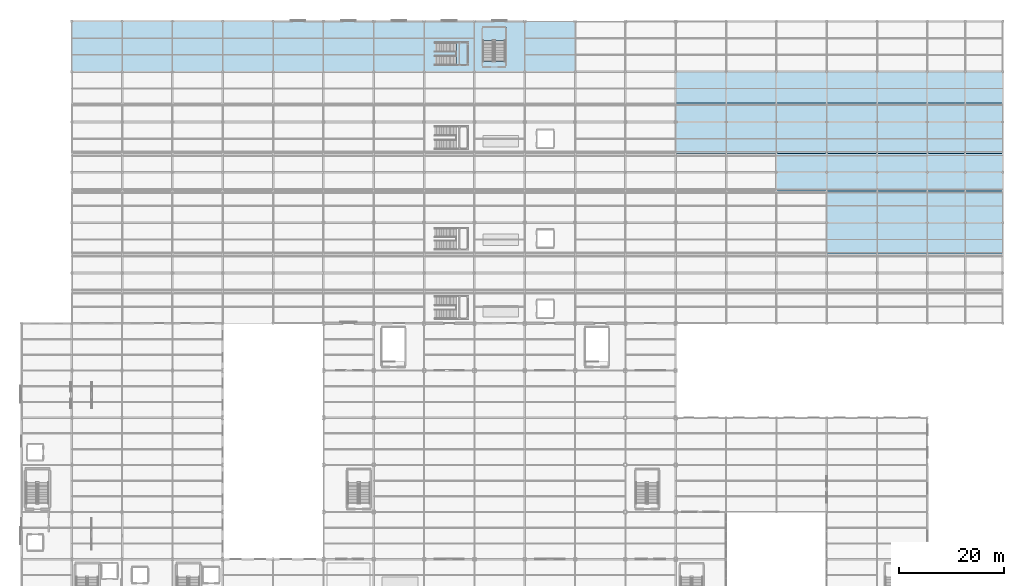
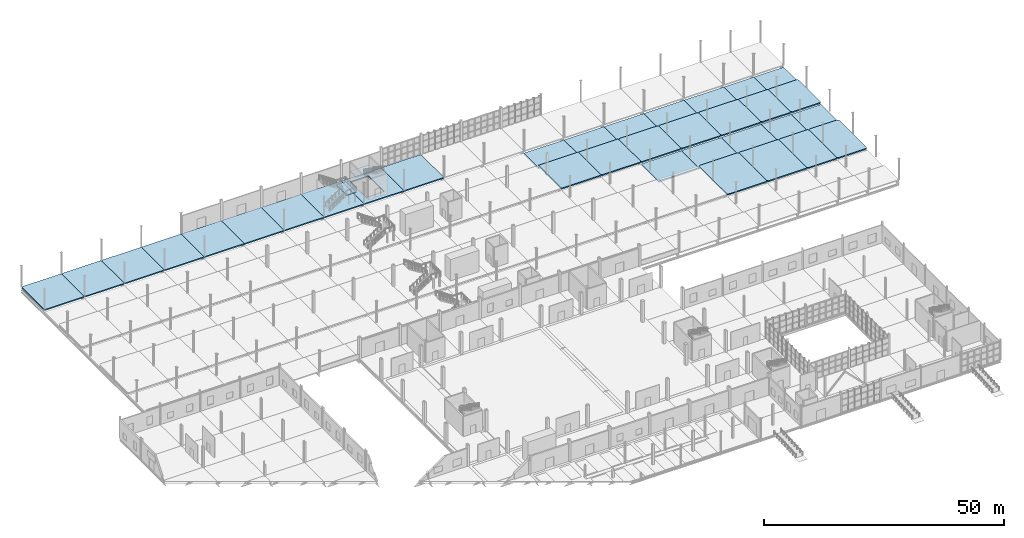
# One storey, part 54 of 85: 35 slabs, 2 elements without a shape of their own.
"""IFC4 building model written with IfcOpenShell, lengths in metres."""

import ifcopenshell
import ifcopenshell.guid

model = None  # the IFC model being written
_history = None  # IfcOwnerHistory: only IFC2X3 demands one
_inside = {}  # id of a spatial element -> (the spatial element, [elements in it])
_under = {}  # id of a project, library or spatial element -> (it, [spatial elements below it])
_declared = {}  # id of a project -> (the project, [libraries it declares])
_typed = {}  # id of a type object -> (the type object, [elements of that type])
_made_of = {}  # id of a material, layer set ... -> (it, [elements and type objects made of it])


def new_model(schema):
    """Start an empty IFC model of exactly this schema.

    Asked for "IFC4X3", IfcOpenShell would pick the latest addendum, in which some entities
    have other attributes; the version numbers below select the first issue.
    IFC2X3 requires an IfcOwnerHistory on every rooted entity: one is made here for all.
    """
    global model, _history
    if schema == "IFC4X3":
        model = ifcopenshell.file(schema_version=(4, 3, 0, 0))
    else:
        model = ifcopenshell.file(schema=schema)
    _inside.clear()
    _under.clear()
    _declared.clear()
    _typed.clear()
    _made_of.clear()
    _history = None
    if model.schema == "IFC2X3":
        org = make("IfcOrganization", Name="unknown")
        user = make(
            "IfcPersonAndOrganization",
            ThePerson=make("IfcPerson", FamilyName="unknown"),
            TheOrganization=org,
        )
        app = make(
            "IfcApplication",
            ApplicationDeveloper=org,
            Version="unknown",
            ApplicationFullName="unknown",
            ApplicationIdentifier="unknown",
        )
        _history = make(
            "IfcOwnerHistory",
            OwningUser=user,
            OwningApplication=app,
            ChangeAction="ADDED",
            CreationDate=0,
        )
    return model


def make(cls, **values):
    """One entity of the class cls with the attributes given. An attribute that is None is left unset."""
    return model.create_entity(
        cls, **{name: value for name, value in values.items() if value is not None}
    )


def rooted(cls, **values):
    """An entity with a GlobalId (a new one), such as an element, a storey or a relation."""
    return make(cls, GlobalId=ifcopenshell.guid.new(), OwnerHistory=_history, **values)


def si_unit(unit_type, name, prefix=None):
    """IfcSIUnit, for example si_unit("LENGTHUNIT", "METRE", prefix="MILLI")."""
    return make("IfcSIUnit", UnitType=unit_type, Prefix=prefix, Name=name)


def assignment(units):
    """IfcUnitAssignment: the units of a project."""
    return None if units is None else make("IfcUnitAssignment", Units=units)


def point(xyz):
    """IfcCartesianPoint."""
    return None if xyz is None else make("IfcCartesianPoint", Coordinates=xyz)


def direction(xyz):
    """IfcDirection."""
    return None if xyz is None else make("IfcDirection", DirectionRatios=xyz)


def frame(location, z_axis=None, x_axis=None):
    """IfcAxis2Placement3D, a coordinate frame: its origin and axes. An axis left out is left unset."""
    return make(
        "IfcAxis2Placement3D",
        Location=point(location),
        Axis=direction(z_axis),
        RefDirection=direction(x_axis),
    )


def origin():
    """The frame at (0, 0, 0) with its axes left unset."""
    return frame((0.0, 0.0, 0.0))


def place(relative_to, where):
    """IfcLocalPlacement: puts the frame where relative to a parent placement (None: the world)."""
    return make(
        "IfcLocalPlacement", PlacementRelTo=relative_to, RelativePlacement=where
    )


def context(
    kind, dimensions, precision=None, world=None, true_north=None, identifier=None
):
    """IfcGeometricRepresentationContext, for example the 3D "Model" context."""
    return make(
        "IfcGeometricRepresentationContext",
        ContextIdentifier=identifier,
        ContextType=kind,
        CoordinateSpaceDimension=dimensions,
        Precision=precision,
        WorldCoordinateSystem=world,
        TrueNorth=true_north,
    )


def subcontext(parent, identifier, kind, view, scale=None):
    """IfcGeometricRepresentationSubContext, for example "Body" below "Model"."""
    return make(
        "IfcGeometricRepresentationSubContext",
        ContextIdentifier=identifier,
        ContextType=kind,
        ParentContext=parent,
        TargetScale=scale,
        TargetView=view,
    )


def project(units=None, contexts=None):
    """IfcProject with its units and contexts."""
    return rooted(
        "IfcProject",
        Name="project",
        RepresentationContexts=contexts,
        UnitsInContext=assignment(units),
    )


def spatial(cls, under=None, at=None, **own):
    """A site, building, storey or space (cls), placed at a placement, below another one or the project."""
    s = rooted(cls, ObjectPlacement=at, **own)
    if under is not None:
        _under.setdefault(under.id(), (under, []))[1].append(s)
    return s


def polyline(points):
    """IfcPolyline through the points."""
    return make("IfcPolyline", Points=[point(p) for p in points])


def outline(outer, holes=None, kind="AREA"):
    """IfcArbitraryClosedProfileDef: a profile drawn as a closed curve; with holes, ...WithVoids."""
    if holes is None:
        return make("IfcArbitraryClosedProfileDef", ProfileType=kind, OuterCurve=outer)
    return make(
        "IfcArbitraryProfileDefWithVoids",
        ProfileType=kind,
        OuterCurve=outer,
        InnerCurves=holes,
    )


def extrude(swept, where, along, depth):
    """IfcExtrudedAreaSolid: the profile swept, set in the frame where, extruded along a direction by depth."""
    return make(
        "IfcExtrudedAreaSolid",
        SweptArea=swept,
        Position=where,
        ExtrudedDirection=direction(along),
        Depth=depth,
    )


def shape(context_of_items, identifier, shape_type, items):
    """IfcShapeRepresentation: the items that make up one representation, for example the "Body"."""
    return make(
        "IfcShapeRepresentation",
        ContextOfItems=context_of_items,
        RepresentationIdentifier=identifier,
        RepresentationType=shape_type,
        Items=items,
    )


def material(Name=None, Category=None):
    """IfcMaterial."""
    return make("IfcMaterial", Name=Name, Category=Category)


def layer(
    of_material, thickness, ventilated=None, Name=None, Category=None, Priority=None
):
    """IfcMaterialLayer: one layer of a wall or slab, of a material (None: an air gap)."""
    return make(
        "IfcMaterialLayer",
        Material=of_material,
        LayerThickness=thickness,
        IsVentilated=ventilated,
        Name=Name,
        Category=Category,
        Priority=Priority,
    )


def layer_set(layers, Name=None):
    """IfcMaterialLayerSet."""
    return make("IfcMaterialLayerSet", MaterialLayers=layers, LayerSetName=Name)


def made_of(thing, what):
    """Note that an element or type object is made of a material, layer set ...; save() writes the relation."""
    if what is not None:
        _made_of.setdefault(what.id(), (what, []))[1].append(thing)
    return thing


def type_object(cls, material=None, **own):
    """A type object (cls), such as IfcWallType, which elements share."""
    return made_of(rooted(cls, **own), material)


def element(
    cls,
    number,
    at=None,
    inside=None,
    cuts=None,
    type_object=None,
    material=None,
    context=None,
    identifier="Body",
    shape_type=None,
    held_by="IfcProductDefinitionShape",
    body=None,
    shapes=None,
    **own,
):
    """One element of the class cls, such as IfcWall. Its Tag is "e" and its number.

    at: its placement. inside: the storey or other place that contains it. cuts: it is an
    opening in that element (IfcRelVoidsElement). A single representation is given by context,
    identifier, shape_type and body (its items); several are given by shapes. held_by: the class
    of the entity that holds the representations. save() writes the other relations.
    """
    e = rooted(cls, Tag="e%d" % number, ObjectPlacement=at, **own)
    if body is not None:
        shapes = [shape(context, identifier, shape_type, body)]
    if shapes is not None:
        e.Representation = make(held_by, Representations=shapes)
    if inside is not None:
        _inside.setdefault(inside.id(), (inside, []))[1].append(e)
    if cuts is not None:
        rooted(
            "IfcRelVoidsElement", RelatingBuildingElement=cuts, RelatedOpeningElement=e
        )
    if type_object is not None:
        _typed.setdefault(type_object.id(), (type_object, []))[1].append(e)
    return made_of(e, material)


def aggregate(whole, parts):
    """IfcRelAggregates: a whole, such as a stair, and the parts it consists of."""
    return rooted("IfcRelAggregates", RelatingObject=whole, RelatedObjects=parts)


def save(model, path):
    """Write the relations noted so far, then the file.

    IfcRelAggregates (storeys below a building ...), IfcRelContainedInSpatialStructure (elements
    in a storey), IfcRelDefinesByType, IfcRelAssociatesMaterial and IfcRelDeclares: one each for
    every whole, place, type object, material and project.
    """
    for whole, parts in _under.values():
        aggregate(whole, parts)
    for where, things in _inside.values():
        rooted(
            "IfcRelContainedInSpatialStructure",
            RelatedElements=things,
            RelatingStructure=where,
        )
    for kind, things in _typed.values():
        rooted("IfcRelDefinesByType", RelatedObjects=things, RelatingType=kind)
    for what, things in _made_of.values():
        rooted("IfcRelAssociatesMaterial", RelatedObjects=things, RelatingMaterial=what)
    for by, libraries in _declared.values():
        rooted("IfcRelDeclares", RelatingContext=by, RelatedDefinitions=libraries)
    model.write(path)


model = new_model("IFC4")

# Units and contexts
model_context = context("Model", 3, precision=1e-05, world=origin(), true_north=direction((0.0, 1.0)))
body_context = subcontext(model_context, "Body", "Model", "MODEL_VIEW")
ifc_project = project(units=[si_unit("LENGTHUNIT", "METRE"), si_unit("AREAUNIT", "SQUARE_METRE"), si_unit("VOLUMEUNIT", "CUBIC_METRE"), si_unit("PLANEANGLEUNIT", "RADIAN"), si_unit("MASSUNIT", "GRAM", prefix="KILO")], contexts=[model_context])

# Site, building, storey
site_placement = place(None, origin())
site = spatial("IfcSite", under=ifc_project, at=site_placement, CompositionType="ELEMENT")
building_placement = place(site_placement, origin())
building = spatial("IfcBuilding", under=site, at=building_placement, Name="Zarnetskaya Central Station", CompositionType="ELEMENT")
storey_placement = place(building_placement, origin())
storey = spatial("IfcBuildingStorey", under=building, at=storey_placement, Name="L00", CompositionType="ELEMENT", Elevation=0.0)

# Slabs
ifc_material_1 = material(Name="Precast concrete C40/50", Category="concrete")
ifc_layer_1 = layer(ifc_material_1, 0.2900390625, Name="Precast concrete C40/50", Category="concrete")
ifc_layer_set_1 = layer_set([ifc_layer_1], Name="Precast concrete C40/50")
slab_type_1 = type_object("IfcSlabType", Name="SLAB-PEXT-290", PredefinedType="FLOOR", material=ifc_layer_set_1)
slab_1_placement = place(storey_placement, frame((0.0, 0.0, -0.2900390625)))
element("IfcSlab", 1, at=slab_1_placement, inside=storey, type_object=slab_type_1, Name="Platform 4 Passenger Boarding Hall deck B-C", PredefinedType="FLOOR", context=body_context, shape_type="SweptSolid", body=[
    extrude(outline(polyline([(9.840087890625, 115.199951171875), (18.9599609375, 115.199951171875), (19.199951171875, 115.43994140625), (19.199951171875, 124.56005859375), (18.9599609375, 124.800048828125), (9.840087890625, 124.800048828125), (9.60009765625, 124.56005859375), (9.60009765625, 115.43994140625), (9.840087890625, 115.199951171875)])), origin(), (0.0, 0.0, 1.0), 0.2900390625),
])
slab_2_placement = place(storey_placement, frame((0.0, 0.0, -0.2900390625)))
element("IfcSlab", 2, at=slab_2_placement, inside=storey, type_object=slab_type_1, Name="Platform 4 Passenger Boarding Hall deck C-D", PredefinedType="FLOOR", context=body_context, shape_type="SweptSolid", body=[
    extrude(outline(polyline([(19.43994140625, 115.199951171875), (28.56005859375, 115.199951171875), (28.800048828125, 115.43994140625), (28.800048828125, 124.56005859375), (28.56005859375, 124.800048828125), (19.43994140625, 124.800048828125), (19.199951171875, 124.56005859375), (19.199951171875, 115.43994140625), (19.43994140625, 115.199951171875)])), origin(), (0.0, 0.0, 1.0), 0.2900390625),
])
slab_3_placement = place(storey_placement, frame((0.0, 0.0, -0.2900390625)))
element("IfcSlab", 3, at=slab_3_placement, inside=storey, type_object=slab_type_1, Name="Platform 4 Passenger Boarding Hall deck D-E", PredefinedType="FLOOR", context=body_context, shape_type="SweptSolid", body=[
    extrude(outline(polyline([(29.0400390625, 115.199951171875), (38.159912109375, 115.199951171875), (38.39990234375, 115.43994140625), (38.39990234375, 124.56005859375), (38.159912109375, 124.800048828125), (29.0400390625, 124.800048828125), (28.800048828125, 124.56005859375), (28.800048828125, 115.43994140625), (29.0400390625, 115.199951171875)])), origin(), (0.0, 0.0, 1.0), 0.2900390625),
])
slab_4_placement = place(storey_placement, frame((0.0, 0.0, -0.2900390625)))
element("IfcSlab", 4, at=slab_4_placement, inside=storey, type_object=slab_type_1, Name="Platform 4 Passenger Boarding Hall deck E-F", PredefinedType="FLOOR", context=body_context, shape_type="SweptSolid", body=[
    extrude(outline(polyline([(38.639892578125, 115.199951171875), (47.760009765625, 115.199951171875), (48.0, 115.43994140625), (48.0, 124.56005859375), (47.760009765625, 124.800048828125), (38.639892578125, 124.800048828125), (38.39990234375, 124.56005859375), (38.39990234375, 115.43994140625), (38.639892578125, 115.199951171875)])), origin(), (0.0, 0.0, 1.0), 0.2900390625),
])
slab_5_placement = place(storey_placement, frame((0.0, 0.0, -0.2900390625)))
element("IfcSlab", 5, at=slab_5_placement, inside=storey, type_object=slab_type_1, Name="Platform 3 Passenger Boarding Hall deck Q-R", PredefinedType="FLOOR", context=body_context, shape_type="SweptSolid", body=[
    extrude(outline(polyline([(134.639892578125, 99.60009765625), (143.760009765625, 99.60009765625), (144.0, 99.840087890625), (144.0, 108.9599609375), (143.760009765625, 109.199951171875), (134.639892578125, 109.199951171875), (134.39990234375, 108.9599609375), (134.39990234375, 99.840087890625), (134.639892578125, 99.60009765625)])), origin(), (0.0, 0.0, 1.0), 0.2900390625),
])
slab_6_placement = place(storey_placement, frame((0.0, 0.0, -0.2900390625)))
element("IfcSlab", 6, at=slab_6_placement, inside=storey, type_object=slab_type_1, Name="Platform 3 Passenger Boarding Hall deck R-S", PredefinedType="FLOOR", context=body_context, shape_type="SweptSolid", body=[
    extrude(outline(polyline([(144.239990234375, 99.60009765625), (153.360107421875, 99.60009765625), (153.60009765625, 99.840087890625), (153.60009765625, 108.9599609375), (153.360107421875, 109.199951171875), (144.239990234375, 109.199951171875), (144.0, 108.9599609375), (144.0, 99.840087890625), (144.239990234375, 99.60009765625)])), origin(), (0.0, 0.0, 1.0), 0.2900390625),
])
slab_7_placement = place(storey_placement, frame((0.0, 0.0, -0.2900390625)))
element("IfcSlab", 7, at=slab_7_placement, inside=storey, type_object=slab_type_1, Name="Platform 2 Passenger Boarding Hall deck S-T", PredefinedType="FLOOR", context=body_context, shape_type="SweptSolid", body=[
    extrude(outline(polyline([(153.840087890625, 80.39990234375), (162.9599609375, 80.39990234375), (163.199951171875, 80.639892578125), (163.199951171875, 92.159912109375), (162.9599609375, 92.39990234375), (153.840087890625, 92.39990234375), (153.60009765625, 92.159912109375), (153.60009765625, 80.639892578125), (153.840087890625, 80.39990234375)])), origin(), (0.0, 0.0, 1.0), 0.2900390625),
])
slab_8_placement = place(storey_placement, frame((0.0, 0.0, -0.2900390625)))
element("IfcSlab", 8, at=slab_8_placement, inside=storey, type_object=slab_type_1, Name="Platform 3 Passenger Boarding Hall deck S-T", PredefinedType="FLOOR", context=body_context, shape_type="SweptSolid", body=[
    extrude(outline(polyline([(153.840087890625, 99.60009765625), (162.9599609375, 99.60009765625), (163.199951171875, 99.840087890625), (163.199951171875, 108.9599609375), (162.9599609375, 109.199951171875), (153.840087890625, 109.199951171875), (153.60009765625, 108.9599609375), (153.60009765625, 99.840087890625), (153.840087890625, 99.60009765625)])), origin(), (0.0, 0.0, 1.0), 0.2900390625),
])
slab_9_placement = place(storey_placement, frame((0.0, 0.0, -0.2900390625)))
element("IfcSlab", 9, at=slab_9_placement, inside=storey, type_object=slab_type_1, Name="Platform 2 Passenger Boarding Hall deck T-U", PredefinedType="FLOOR", context=body_context, shape_type="SweptSolid", body=[
    extrude(outline(polyline([(163.43994140625, 80.39990234375), (172.56005859375, 80.39990234375), (172.800048828125, 80.639892578125), (172.800048828125, 92.159912109375), (172.56005859375, 92.39990234375), (163.43994140625, 92.39990234375), (163.199951171875, 92.159912109375), (163.199951171875, 80.639892578125), (163.43994140625, 80.39990234375)])), origin(), (0.0, 0.0, 1.0), 0.2900390625),
])
slab_10_placement = place(storey_placement, frame((0.0, 0.0, -0.2900390625)))
element("IfcSlab", 10, at=slab_10_placement, inside=storey, type_object=slab_type_1, Name="Platform 3 Passenger Boarding Hall deck T-U", PredefinedType="FLOOR", context=body_context, shape_type="SweptSolid", body=[
    extrude(outline(polyline([(163.43994140625, 99.60009765625), (172.56005859375, 99.60009765625), (172.800048828125, 99.840087890625), (172.800048828125, 108.9599609375), (172.56005859375, 109.199951171875), (163.43994140625, 109.199951171875), (163.199951171875, 108.9599609375), (163.199951171875, 99.840087890625), (163.43994140625, 99.60009765625)])), origin(), (0.0, 0.0, 1.0), 0.2900390625),
])
slab_11_placement = place(storey_placement, frame((0.0, 0.0, -0.2900390625)))
element("IfcSlab", 11, at=slab_11_placement, inside=storey, type_object=slab_type_1, Name="Platform 2 Passenger Boarding Hall deck U-V", PredefinedType="FLOOR", context=body_context, shape_type="SweptSolid", body=[
    extrude(outline(polyline([(173.0400390625, 80.39990234375), (179.760009765625, 80.39990234375), (180.0, 80.639892578125), (180.0, 92.159912109375), (179.760009765625, 92.39990234375), (173.0400390625, 92.39990234375), (172.800048828125, 92.159912109375), (172.800048828125, 80.639892578125), (173.0400390625, 80.39990234375)])), origin(), (0.0, 0.0, 1.0), 0.2900390625),
])
slab_12_placement = place(storey_placement, frame((0.0, 0.0, -0.2900390625)))
element("IfcSlab", 12, at=slab_12_placement, inside=storey, type_object=slab_type_1, Name="Platform 3 Passenger Boarding Hall deck U-V", PredefinedType="FLOOR", context=body_context, shape_type="SweptSolid", body=[
    extrude(outline(polyline([(173.0400390625, 99.60009765625), (179.760009765625, 99.60009765625), (180.0, 99.840087890625), (180.0, 108.9599609375), (179.760009765625, 109.199951171875), (173.0400390625, 109.199951171875), (172.800048828125, 108.9599609375), (172.800048828125, 99.840087890625), (173.0400390625, 99.60009765625)])), origin(), (0.0, 0.0, 1.0), 0.2900390625),
])
slab_13_placement = place(storey_placement, frame((0.0, 0.0, -0.2900390625)))
element("IfcSlab", 13, at=slab_13_placement, inside=storey, type_object=slab_type_1, Name="Platform 2 Passenger Boarding Hall deck V-W", PredefinedType="FLOOR", context=body_context, shape_type="SweptSolid", body=[
    extrude(outline(polyline([(180.239990234375, 80.39990234375), (186.9599609375, 80.39990234375), (187.199951171875, 80.639892578125), (187.199951171875, 92.159912109375), (186.9599609375, 92.39990234375), (180.239990234375, 92.39990234375), (180.0, 92.159912109375), (180.0, 80.639892578125), (180.239990234375, 80.39990234375)])), origin(), (0.0, 0.0, 1.0), 0.2900390625),
])
slab_14_placement = place(storey_placement, frame((0.0, 0.0, -0.2900390625)))
element("IfcSlab", 14, at=slab_14_placement, inside=storey, type_object=slab_type_1, Name="Platform 3 Passenger Boarding Hall deck V-W", PredefinedType="FLOOR", context=body_context, shape_type="SweptSolid", body=[
    extrude(outline(polyline([(180.239990234375, 99.60009765625), (186.9599609375, 99.60009765625), (187.199951171875, 99.840087890625), (187.199951171875, 108.9599609375), (186.9599609375, 109.199951171875), (180.239990234375, 109.199951171875), (180.0, 108.9599609375), (180.0, 99.840087890625), (180.239990234375, 99.60009765625)])), origin(), (0.0, 0.0, 1.0), 0.2900390625),
])
ifc_layer_2 = layer(ifc_material_1, 0.300048828125, Name="Precast concrete C40/50", Category="concrete")
ifc_layer_set_2 = layer_set([ifc_layer_2], Name="Precast concrete C40/50")
slab_type_2 = type_object("IfcSlabType", Name="SLAB-PLAT-300", PredefinedType="FLOOR", material=ifc_layer_set_2)
slab_15_placement = place(storey_placement, frame((0.0, 0.0, -0.300048828125)))
element("IfcSlab", 15, at=slab_15_placement, inside=storey, type_object=slab_type_2, Name="Platform 4 Passenger Boarding Hall deck F-G", PredefinedType="FLOOR", context=body_context, shape_type="SweptSolid", body=[
    extrude(outline(polyline([(48.0, 115.199951171875), (57.60009765625, 115.199951171875), (57.60009765625, 124.800048828125), (48.0, 124.800048828125), (48.0, 115.199951171875)])), origin(), (0.0, 0.0, 1.0), 0.300048828125),
])
slab_16_placement = place(storey_placement, frame((0.0, 0.0, -0.300048828125)))
element("IfcSlab", 16, at=slab_16_placement, inside=storey, type_object=slab_type_2, Name="Platform 4 Passenger Boarding Hall deck G-H", PredefinedType="FLOOR", context=body_context, shape_type="SweptSolid", body=[
    extrude(outline(polyline([(57.60009765625, 115.199951171875), (67.199951171875, 115.199951171875), (67.199951171875, 124.800048828125), (57.60009765625, 124.800048828125), (57.60009765625, 115.199951171875)])), origin(), (0.0, 0.0, 1.0), 0.300048828125),
])
slab_17_placement = place(storey_placement, frame((0.0, 0.0, -0.300048828125)))
element("IfcSlab", 17, at=slab_17_placement, inside=storey, type_object=slab_type_2, Name="Platform 4 Passenger Boarding Hall deck H-J", PredefinedType="FLOOR", context=body_context, shape_type="SweptSolid", body=[
    extrude(outline(polyline([(67.199951171875, 115.199951171875), (76.800048828125, 115.199951171875), (76.800048828125, 124.800048828125), (67.199951171875, 124.800048828125), (67.199951171875, 115.199951171875)])), origin(), (0.0, 0.0, 1.0), 0.300048828125),
])
slab_18_placement = place(storey_placement, frame((0.0, 0.0, -0.300048828125)))
element("IfcSlab", 18, at=slab_18_placement, inside=storey, type_object=slab_type_2, Name="Platform 4 Passenger Boarding Hall deck J-K", PredefinedType="FLOOR", context=body_context, shape_type="SweptSolid", body=[
    extrude(outline(polyline([(76.800048828125, 115.199951171875), (86.39990234375, 115.199951171875), (86.39990234375, 124.800048828125), (76.800048828125, 124.800048828125), (76.800048828125, 115.199951171875)])), origin(), (0.0, 0.0, 1.0), 0.300048828125),
])
slab_19_placement = place(storey_placement, frame((0.0, 0.0, -0.300048828125)))
element("IfcSlab", 19, at=slab_19_placement, inside=storey, type_object=slab_type_2, Name="Platform 4 Passenger Boarding Hall deck K-L", PredefinedType="FLOOR", context=body_context, shape_type="SweptSolid", body=[
    extrude(outline(polyline([(86.39990234375, 115.199951171875), (96.0, 115.199951171875), (96.0, 124.800048828125), (86.39990234375, 124.800048828125), (86.39990234375, 115.199951171875)]), holes=[polyline([(88.0, 117.10498046875), (92.300048828125, 117.10498046875), (92.300048828125, 123.60009765625), (88.0, 123.60009765625), (88.0, 117.10498046875)])]), origin(), (0.0, 0.0, 1.0), 0.300048828125),
])
slab_20_placement = place(storey_placement, frame((0.0, 0.0, -0.300048828125)))
element("IfcSlab", 20, at=slab_20_placement, inside=storey, type_object=slab_type_2, Name="Platform 4 Passenger Boarding Hall deck L-M", PredefinedType="FLOOR", context=body_context, shape_type="SweptSolid", body=[
    extrude(outline(polyline([(96.0, 115.199951171875), (105.60009765625, 115.199951171875), (105.60009765625, 124.800048828125), (96.0, 124.800048828125), (96.0, 115.199951171875)])), origin(), (0.0, 0.0, 1.0), 0.300048828125),
])
slab_21_placement = place(storey_placement, frame((0.0, 0.0, -0.300048828125)))
element("IfcSlab", 21, at=slab_21_placement, inside=storey, type_object=slab_type_2, Name="Platform 3 Passenger Boarding Hall deck P-Q", PredefinedType="FLOOR", context=body_context, shape_type="SweptSolid", body=[
    extrude(outline(polyline([(124.800048828125, 99.60009765625), (134.39990234375, 99.60009765625), (134.39990234375, 109.199951171875), (124.800048828125, 109.199951171875), (124.800048828125, 99.60009765625)])), origin(), (0.0, 0.0, 1.0), 0.300048828125),
])

# Stair, slab
ifc_material_2 = material(Name="Concrete C30/37", Category="concrete")
stair_type_1 = type_object("IfcStairType", Name="STAIR-ASSY-08", PredefinedType="HALF_TURN_STAIR", material=ifc_material_2)
stair_1_placement = place(storey_placement, origin())
stair_1 = element("IfcStair", 22, at=stair_1_placement, inside=storey, type_object=stair_type_1, Name="Exit Stair ST-B1 L00", PredefinedType="HALF_TURN_STAIR")
ifc_layer_3 = layer(ifc_material_2, 0.18505859375, Name="Concrete C30/37", Category="concrete")
ifc_layer_set_3 = layer_set([ifc_layer_3], Name="Concrete C30/37")
slab_type_3 = type_object("IfcSlabType", Name="SLAB-STAIR-LND", PredefinedType="LANDING", material=ifc_layer_set_3)
slab_22_placement = place(storey_placement, frame((0.0, 0.0, 2.514892578125)))
slab_22 = element("IfcSlab", 23, at=slab_22_placement, type_object=slab_type_3, Name="ST-05 landing 1", PredefinedType="LANDING", context=body_context, shape_type="SweptSolid", body=[
    extrude(outline(polyline([(87.919921875, 121.14501953125), (92.3798828125, 121.14501953125), (92.3798828125, 123.679931640625), (87.919921875, 123.679931640625), (87.919921875, 121.14501953125)])), origin(), (0.0, 0.0, 1.0), 0.18505859375),
])
aggregate(stair_1, [slab_22])

stair_type_2 = type_object("IfcStairType", Name="STAIR-ASSY-03", PredefinedType="HALF_TURN_STAIR", material=ifc_material_2)
stair_2_placement = place(storey_placement, origin())
stair_2 = element("IfcStair", 24, at=stair_2_placement, inside=storey, type_object=stair_type_2, Name="Exit Stair ST-P4 L00", PredefinedType="HALF_TURN_STAIR")
slab_23_placement = place(storey_placement, frame((0.0, 0.0, 2.514892578125)))
slab_23 = element("IfcSlab", 25, at=slab_23_placement, type_object=slab_type_3, Name="ST-04 landing 1", PredefinedType="LANDING", context=body_context, shape_type="SweptSolid", body=[
    extrude(outline(polyline([(82.945068359375, 116.39990234375), (85.199951171875, 116.39990234375), (85.199951171875, 120.800048828125), (82.945068359375, 120.800048828125), (82.945068359375, 116.39990234375)])), origin(), (0.0, 0.0, 1.0), 0.18505859375),
])
aggregate(stair_2, [slab_23])

# Slabs
ifc_layer_4 = layer(ifc_material_2, 0.360107421875, Name="Concrete C30/37", Category="concrete")
ifc_layer_set_4 = layer_set([ifc_layer_4], Name="Concrete C30/37")
slab_type_4 = type_object("IfcSlabType", Name="SLAB-TRK-360", PredefinedType="BASESLAB", material=ifc_layer_set_4)
slab_24_placement = place(storey_placement, frame((0.0, 0.0, -0.909912109375)))
element("IfcSlab", 26, at=slab_24_placement, inside=storey, type_object=slab_type_4, Name="Rail Track Trough 5-6 slab P-Q", PredefinedType="BASESLAB", context=body_context, shape_type="SweptSolid", body=[
    extrude(outline(polyline([(124.800048828125, 109.199951171875), (134.39990234375, 109.199951171875), (134.39990234375, 115.199951171875), (124.800048828125, 115.199951171875), (124.800048828125, 109.199951171875)])), origin(), (0.0, 0.0, 1.0), 0.35986328125),
])
slab_25_placement = place(storey_placement, frame((0.0, 0.0, -0.909912109375)))
element("IfcSlab", 27, at=slab_25_placement, inside=storey, type_object=slab_type_4, Name="Rail Track Trough 5-6 slab Q-R", PredefinedType="BASESLAB", context=body_context, shape_type="SweptSolid", body=[
    extrude(outline(polyline([(134.39990234375, 109.199951171875), (144.0, 109.199951171875), (144.0, 115.199951171875), (134.39990234375, 115.199951171875), (134.39990234375, 109.199951171875)])), origin(), (0.0, 0.0, 1.0), 0.35986328125),
])
slab_26_placement = place(storey_placement, frame((0.0, 0.0, -0.909912109375)))
element("IfcSlab", 28, at=slab_26_placement, inside=storey, type_object=slab_type_4, Name="Rail Track Trough 3-4 slab R-S", PredefinedType="BASESLAB", context=body_context, shape_type="SweptSolid", body=[
    extrude(outline(polyline([(144.0, 92.39990234375), (153.60009765625, 92.39990234375), (153.60009765625, 99.60009765625), (144.0, 99.60009765625), (144.0, 92.39990234375)])), origin(), (0.0, 0.0, 1.0), 0.35986328125),
])
slab_27_placement = place(storey_placement, frame((0.0, 0.0, -0.909912109375)))
element("IfcSlab", 29, at=slab_27_placement, inside=storey, type_object=slab_type_4, Name="Rail Track Trough 5-6 slab R-S", PredefinedType="BASESLAB", context=body_context, shape_type="SweptSolid", body=[
    extrude(outline(polyline([(144.0, 109.199951171875), (153.60009765625, 109.199951171875), (153.60009765625, 115.199951171875), (144.0, 115.199951171875), (144.0, 109.199951171875)])), origin(), (0.0, 0.0, 1.0), 0.35986328125),
])
slab_28_placement = place(storey_placement, frame((0.0, 0.0, -0.909912109375)))
element("IfcSlab", 30, at=slab_28_placement, inside=storey, type_object=slab_type_4, Name="Rail Track Trough 3-4 slab S-T", PredefinedType="BASESLAB", context=body_context, shape_type="SweptSolid", body=[
    extrude(outline(polyline([(153.60009765625, 92.39990234375), (163.199951171875, 92.39990234375), (163.199951171875, 99.60009765625), (153.60009765625, 99.60009765625), (153.60009765625, 92.39990234375)])), origin(), (0.0, 0.0, 1.0), 0.35986328125),
])
slab_29_placement = place(storey_placement, frame((0.0, 0.0, -0.909912109375)))
element("IfcSlab", 31, at=slab_29_placement, inside=storey, type_object=slab_type_4, Name="Rail Track Trough 5-6 slab S-T", PredefinedType="BASESLAB", context=body_context, shape_type="SweptSolid", body=[
    extrude(outline(polyline([(153.60009765625, 109.199951171875), (163.199951171875, 109.199951171875), (163.199951171875, 115.199951171875), (153.60009765625, 115.199951171875), (153.60009765625, 109.199951171875)])), origin(), (0.0, 0.0, 1.0), 0.35986328125),
])
slab_30_placement = place(storey_placement, frame((0.0, 0.0, -0.909912109375)))
element("IfcSlab", 32, at=slab_30_placement, inside=storey, type_object=slab_type_4, Name="Rail Track Trough 3-4 slab T-U", PredefinedType="BASESLAB", context=body_context, shape_type="SweptSolid", body=[
    extrude(outline(polyline([(163.199951171875, 92.39990234375), (172.800048828125, 92.39990234375), (172.800048828125, 99.60009765625), (163.199951171875, 99.60009765625), (163.199951171875, 92.39990234375)])), origin(), (0.0, 0.0, 1.0), 0.35986328125),
])
slab_31_placement = place(storey_placement, frame((0.0, 0.0, -0.909912109375)))
element("IfcSlab", 33, at=slab_31_placement, inside=storey, type_object=slab_type_4, Name="Rail Track Trough 5-6 slab T-U", PredefinedType="BASESLAB", context=body_context, shape_type="SweptSolid", body=[
    extrude(outline(polyline([(163.199951171875, 109.199951171875), (172.800048828125, 109.199951171875), (172.800048828125, 115.199951171875), (163.199951171875, 115.199951171875), (163.199951171875, 109.199951171875)])), origin(), (0.0, 0.0, 1.0), 0.35986328125),
])
slab_32_placement = place(storey_placement, frame((0.0, 0.0, -0.909912109375)))
element("IfcSlab", 34, at=slab_32_placement, inside=storey, type_object=slab_type_4, Name="Rail Track Trough 3-4 slab U-V", PredefinedType="BASESLAB", context=body_context, shape_type="SweptSolid", body=[
    extrude(outline(polyline([(172.800048828125, 92.39990234375), (180.0, 92.39990234375), (180.0, 99.60009765625), (172.800048828125, 99.60009765625), (172.800048828125, 92.39990234375)])), origin(), (0.0, 0.0, 1.0), 0.35986328125),
])
slab_33_placement = place(storey_placement, frame((0.0, 0.0, -0.909912109375)))
element("IfcSlab", 35, at=slab_33_placement, inside=storey, type_object=slab_type_4, Name="Rail Track Trough 5-6 slab U-V", PredefinedType="BASESLAB", context=body_context, shape_type="SweptSolid", body=[
    extrude(outline(polyline([(172.800048828125, 109.199951171875), (180.0, 109.199951171875), (180.0, 115.199951171875), (172.800048828125, 115.199951171875), (172.800048828125, 109.199951171875)])), origin(), (0.0, 0.0, 1.0), 0.35986328125),
])
slab_34_placement = place(storey_placement, frame((0.0, 0.0, -0.909912109375)))
element("IfcSlab", 36, at=slab_34_placement, inside=storey, type_object=slab_type_4, Name="Rail Track Trough 3-4 slab V-W", PredefinedType="BASESLAB", context=body_context, shape_type="SweptSolid", body=[
    extrude(outline(polyline([(180.0, 92.39990234375), (187.199951171875, 92.39990234375), (187.199951171875, 99.60009765625), (180.0, 99.60009765625), (180.0, 92.39990234375)])), origin(), (0.0, 0.0, 1.0), 0.35986328125),
])
slab_35_placement = place(storey_placement, frame((0.0, 0.0, -0.909912109375)))
element("IfcSlab", 37, at=slab_35_placement, inside=storey, type_object=slab_type_4, Name="Rail Track Trough 5-6 slab V-W", PredefinedType="BASESLAB", context=body_context, shape_type="SweptSolid", body=[
    extrude(outline(polyline([(180.0, 109.199951171875), (187.199951171875, 109.199951171875), (187.199951171875, 115.199951171875), (180.0, 115.199951171875), (180.0, 109.199951171875)])), origin(), (0.0, 0.0, 1.0), 0.35986328125),
])

save(model, "model.ifc")
